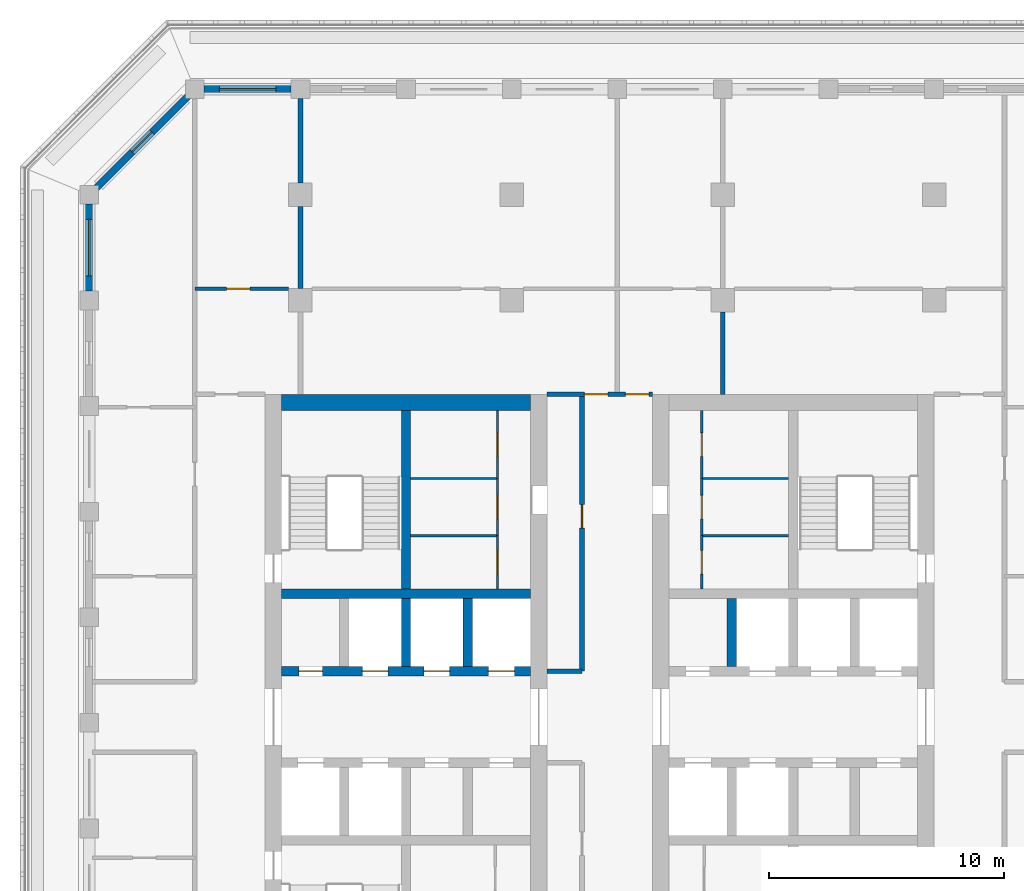
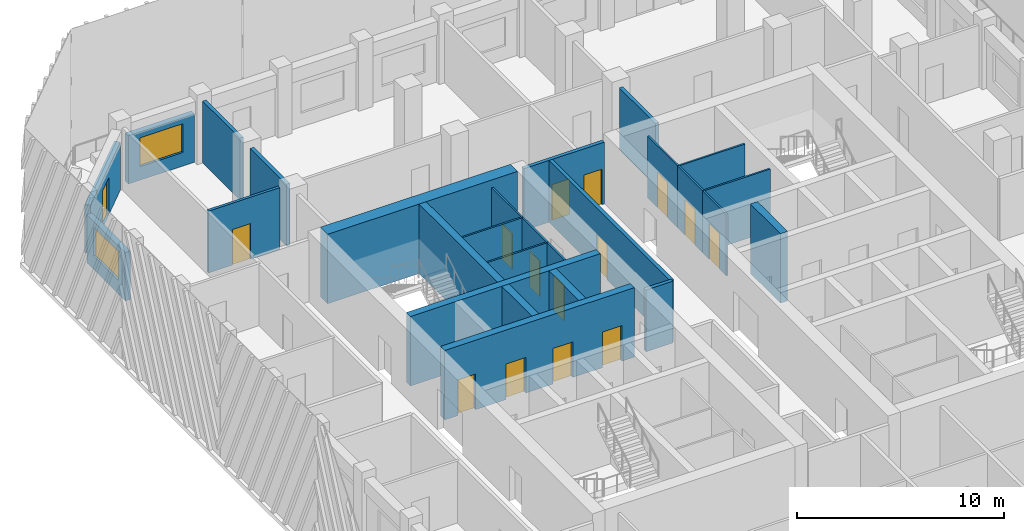
# One storey, part 6 of 17: 27 walls, 15 doors, 2 windows, 17 openings.
"""IFC4 building model written with IfcOpenShell, lengths in metres."""

from ifc_helpers import new_model, si_unit, direction, frame, frame_2d, origin, place, context, subcontext, project, spatial, rectangle, extrude, material, layer, layer_set, type_object, element, fill, save


model = new_model("IFC4")

# Units and contexts
model_context = context("Model", 3, precision=1e-05, world=origin(), true_north=direction((0.0, 1.0)))
body_context = subcontext(model_context, "Body", "Model", "MODEL_VIEW")
ifc_project = project(units=[si_unit("LENGTHUNIT", "METRE"), si_unit("AREAUNIT", "SQUARE_METRE"), si_unit("VOLUMEUNIT", "CUBIC_METRE"), si_unit("PLANEANGLEUNIT", "RADIAN"), si_unit("MASSUNIT", "GRAM", prefix="KILO")], contexts=[model_context])

# Site, building, storey
site_placement = place(None, origin())
site = spatial("IfcSite", under=ifc_project, at=site_placement, CompositionType="ELEMENT")
building_placement = place(site_placement, origin())
building = spatial("IfcBuilding", under=site, at=building_placement, Name="Corbel Stack Research Tower", CompositionType="ELEMENT")
storey_placement = place(building_placement, frame((0.0, 0.0, 248.0)))
storey = spatial("IfcBuildingStorey", under=building, at=storey_placement, Name="L56", CompositionType="ELEMENT", Elevation=248.0)

# Wall, openings, doors
ifc_material_1 = material(Name="Concrete C60/75", Category="concrete")
ifc_layer_1 = layer(ifc_material_1, 0.39990234375)
ifc_layer_set_1 = layer_set([ifc_layer_1], Name="Concrete C60/75")
wall_type_1 = type_object("IfcWallType", Name="CW-400-60", PredefinedType="SHEAR", material=ifc_layer_set_1)
wall_1_placement = place(storey_placement, frame((-9.800048828125, 6.699951171875, 0.0), z_axis=(0.0, 0.0, 1.0), x_axis=(1.0, 0.0, 0.0)))
wall_1 = element("IfcWall", 1, at=wall_1_placement, inside=storey, type_object=wall_type_1, Name="West core wall, lobby north L56", PredefinedType="SHEAR", context=body_context, shape_type="SweptSolid", body=[
    extrude(rectangle(XDim=10.60009765625, YDim=0.39990234375, at=frame_2d((5.300048828125, 0.0))), origin(), (0.0, 0.0, 1.0), 4.10009765625),
])
opening_1_placement = place(wall_1_placement, frame((3.4375, 0.0, 0.0)))
opening_1 = element("IfcOpeningElement", 2, at=opening_1_placement, cuts=wall_1, Name="Opening LD-HR1", PredefinedType="OPENING", context=body_context, shape_type="SweptSolid", body=[
    extrude(rectangle(XDim=1.10009765625, YDim=2.10009765625, at=frame_2d((0.550048828125, 1.050048828125))), frame((0.0, 0.2099609375, 0.0), z_axis=(0.0, -1.0, 0.0), x_axis=(1.0, 0.0, 0.0)), (0.0, 0.0, 1.0), 0.419921875),
])
opening_2_placement = place(wall_1_placement, frame((6.0625, 0.0, 0.0)))
opening_2 = element("IfcOpeningElement", 3, at=opening_2_placement, cuts=wall_1, Name="Opening LD-HR2", PredefinedType="OPENING", context=body_context, shape_type="SweptSolid", body=[
    extrude(rectangle(XDim=1.10009765625, YDim=2.10009765625, at=frame_2d((0.550048828125, 1.050048828125))), frame((0.0, 0.2099609375, 0.0), z_axis=(0.0, -1.0, 0.0), x_axis=(1.0, 0.0, 0.0)), (0.0, 0.0, 1.0), 0.419921875),
])
opening_3_placement = place(wall_1_placement, frame((8.8125, 0.0, 0.0)))
opening_3 = element("IfcOpeningElement", 4, at=opening_3_placement, cuts=wall_1, Name="Opening LD-HR3", PredefinedType="OPENING", context=body_context, shape_type="SweptSolid", body=[
    extrude(rectangle(XDim=1.10009765625, YDim=2.10009765625, at=frame_2d((0.550048828125, 1.050048828125))), frame((0.0, 0.2099609375, 0.0), z_axis=(0.0, -1.0, 0.0), x_axis=(1.0, 0.0, 0.0)), (0.0, 0.0, 1.0), 0.419921875),
])
opening_4_placement = place(wall_1_placement, frame((0.737548828125, 0.0, 0.0)))
opening_4 = element("IfcOpeningElement", 5, at=opening_4_placement, cuts=wall_1, Name="Opening CR-W12-N1", PredefinedType="OPENING", context=body_context, shape_type="SweptSolid", body=[
    extrude(rectangle(XDim=1.0, YDim=2.10009765625, at=frame_2d((0.5, 1.050048828125))), frame((0.0, 0.2099609375, 0.0), z_axis=(0.0, -1.0, 0.0), x_axis=(1.0, 0.0, 0.0)), (0.0, 0.0, 1.0), 0.419921875),
])
ifc_material_2 = material(Name="Stainless steel landing door", Category="steel")
door_type_1 = type_object("IfcDoorType", Name="Lift landing door 1100 x 2100", OperationType="DOUBLE_DOOR_SLIDING", PredefinedType="DOOR", material=ifc_material_2)
door_1_placement = place(opening_1_placement, origin())
door_1 = element("IfcDoor", 6, at=door_1_placement, inside=storey, type_object=door_type_1, Name="Landing door HR1", OperationType="DOUBLE_DOOR_SLIDING", OverallHeight=2.10009765625, OverallWidth=1.10009765625, PredefinedType="DOOR", context=body_context, shape_type="SweptSolid", body=[
    extrude(rectangle(XDim=1.10009765625, YDim=2.10009765625, at=frame_2d((0.550048828125, 1.050048828125))), frame((0.0, 0.02490234375, 0.0), z_axis=(0.0, -1.0, 0.0), x_axis=(1.0, 0.0, 0.0)), (0.0, 0.0, 1.0), 0.050048828125),
])
fill(opening_1, door_1)
door_2_placement = place(opening_2_placement, origin())
door_2 = element("IfcDoor", 7, at=door_2_placement, inside=storey, type_object=door_type_1, Name="Landing door HR2", OperationType="DOUBLE_DOOR_SLIDING", OverallHeight=2.10009765625, OverallWidth=1.10009765625, PredefinedType="DOOR", context=body_context, shape_type="SweptSolid", body=[
    extrude(rectangle(XDim=1.10009765625, YDim=2.10009765625, at=frame_2d((0.550048828125, 1.050048828125))), frame((0.0, 0.02490234375, 0.0), z_axis=(0.0, -1.0, 0.0), x_axis=(1.0, 0.0, 0.0)), (0.0, 0.0, 1.0), 0.050048828125),
])
fill(opening_2, door_2)
door_3_placement = place(opening_3_placement, origin())
door_3 = element("IfcDoor", 8, at=door_3_placement, inside=storey, type_object=door_type_1, Name="Landing door HR3", OperationType="DOUBLE_DOOR_SLIDING", OverallHeight=2.10009765625, OverallWidth=1.10009765625, PredefinedType="DOOR", context=body_context, shape_type="SweptSolid", body=[
    extrude(rectangle(XDim=1.10009765625, YDim=2.10009765625, at=frame_2d((0.550048828125, 1.050048828125))), frame((0.0, 0.02490234375, 0.0), z_axis=(0.0, -1.0, 0.0), x_axis=(1.0, 0.0, 0.0)), (0.0, 0.0, 1.0), 0.050048828125),
])
fill(opening_3, door_3)
ifc_material_3 = material(Name="Painted steel door", Category="steel")
door_type_2 = type_object("IfcDoorType", Name="Service door 1000 x 2100 FD60 left hand", OperationType="SINGLE_SWING_LEFT", PredefinedType="DOOR", material=ifc_material_3)
door_4_placement = place(opening_4_placement, origin())
door_4 = element("IfcDoor", 9, at=door_4_placement, inside=storey, type_object=door_type_2, Name="Electrical room door W core", OperationType="SINGLE_SWING_LEFT", OverallHeight=2.10009765625, OverallWidth=1.0, PredefinedType="DOOR", context=body_context, shape_type="SweptSolid", body=[
    extrude(rectangle(XDim=1.0, YDim=2.10009765625, at=frame_2d((0.5, 1.050048828125))), frame((0.0, 0.02490234375, 0.0), z_axis=(0.0, -1.0, 0.0), x_axis=(1.0, 0.0, 0.0)), (0.0, 0.0, 1.0), 0.050048828125),
])
fill(opening_4, door_4)

# Walls
wall_2_placement = place(storey_placement, frame((-9.800048828125, 10.0, 0.0), z_axis=(0.0, 0.0, 1.0), x_axis=(1.0, 0.0, 0.0)))
element("IfcWall", 10, at=wall_2_placement, inside=storey, type_object=wall_type_1, Name="West core wall, north row back L56", PredefinedType="SHEAR", context=body_context, shape_type="SweptSolid", body=[
    extrude(rectangle(XDim=10.60009765625, YDim=0.39990234375, at=frame_2d((5.300048828125, 0.0))), origin(), (0.0, 0.0, 1.0), 4.10009765625),
])
for number, where, z_axis, x_axis, name in (
    (11, (-4.5, 6.89990234375, 0.0), (0.0, 0.0, 1.0), (0.0, 1.0, 0.0), "West core wall, north shaft 2 L56"),
    (12, (-1.875, 6.89990234375, 0.0), (0.0, 0.0, 1.0), (0.0, 1.0, 0.0), "West core wall, north shaft 3 L56"),
):
    element("IfcWall", number, at=place(storey_placement, frame(where, z_axis=z_axis, x_axis=x_axis)), inside=storey, type_object=wall_type_1, Name=name, PredefinedType="SHEAR", context=body_context, shape_type="SweptSolid", body=[
        extrude(rectangle(XDim=2.900146484375, YDim=0.39990234375, at=frame_2d((1.4501953125, 0.0))), origin(), (0.0, 0.0, 1.0), 4.10009765625),
    ])
wall_3_placement = place(storey_placement, frame((-4.5, 10.199951171875, 0.0), z_axis=(0.0, 0.0, 1.0), x_axis=(0.0, 1.0, 0.0)))
element("IfcWall", 13, at=wall_3_placement, inside=storey, type_object=wall_type_1, Name="West core wall, north stair and riser L56", PredefinedType="SHEAR", context=body_context, shape_type="SweptSolid", body=[
    extrude(rectangle(XDim=7.60009765625, YDim=0.39990234375, at=frame_2d((3.800048828125, 0.0))), origin(), (0.0, 0.0, 1.0), 4.10009765625),
])
wall_4_placement = place(storey_placement, frame((9.375, 6.89990234375, 0.0), z_axis=(0.0, 0.0, 1.0), x_axis=(0.0, 1.0, 0.0)))
element("IfcWall", 14, at=wall_4_placement, inside=storey, type_object=wall_type_1, Name="East core wall, north shaft 1 L56", PredefinedType="SHEAR", context=body_context, shape_type="SweptSolid", body=[
    extrude(rectangle(XDim=2.900146484375, YDim=0.39990234375, at=frame_2d((1.4501953125, 0.0))), origin(), (0.0, 0.0, 1.0), 4.10009765625),
])
ifc_material_4 = material(Name="Concrete C60/75", Category="concrete")
ifc_layer_2 = layer(ifc_material_4, 0.699951171875)
ifc_layer_set_2 = layer_set([ifc_layer_2], Name="Concrete C60/75")
wall_type_2 = type_object("IfcWallType", Name="CW-700-60", PredefinedType="SHEAR", material=ifc_layer_set_2)
wall_5_placement = place(storey_placement, frame((-9.800048828125, 18.14990234375, 0.0), z_axis=(0.0, 0.0, 1.0), x_axis=(1.0, 0.0, 0.0)))
element("IfcWall", 15, at=wall_5_placement, inside=storey, type_object=wall_type_2, Name="West core wall, north end L56", PredefinedType="SHEAR", context=body_context, shape_type="SweptSolid", body=[
    extrude(rectangle(XDim=10.60009765625, YDim=0.699951171875, at=frame_2d((5.300048828125, 0.0))), origin(), (0.0, 0.0, 1.0), 4.10009765625),
])

# Wall, opening, door
ifc_material_5 = material(Name="Gypsum board")
ifc_layer_3 = layer(ifc_material_5, 0.10009765625)
ifc_layer_set_3 = layer_set([ifc_layer_3], Name="Gypsum board")
wall_type_3 = type_object("IfcWallType", Name="Core partition 100", PredefinedType="PARTITIONING", material=ifc_layer_set_3)
wall_6_placement = place(storey_placement, frame((-0.60009765625, 10.199951171875, 0.0), z_axis=(0.0, 0.0, 1.0), x_axis=(0.0, 1.0, 0.0)))
wall_6 = element("IfcWall", 16, at=wall_6_placement, inside=storey, type_object=wall_type_3, Name="Core partition W", PredefinedType="PARTITIONING", context=body_context, shape_type="SweptSolid", body=[
    extrude(rectangle(XDim=2.280029296875, YDim=0.10009765625, at=frame_2d((1.14013671875, 0.0))), origin(), (0.0, 0.0, 1.0), 3.64990234375),
])
opening_5_placement = place(wall_6_placement, frame((0.639892578125, 0.0, 0.0)))
opening_5 = element("IfcOpeningElement", 17, at=opening_5_placement, cuts=wall_6, Name="Opening CR-W12-R2-1000", PredefinedType="OPENING", context=body_context, shape_type="SweptSolid", body=[
    extrude(rectangle(XDim=1.0, YDim=2.10009765625, at=frame_2d((0.5, 1.050048828125))), frame((0.0, 0.06005859375, 0.0), z_axis=(0.0, -1.0, 0.0), x_axis=(1.0, 0.0, 0.0)), (0.0, 0.0, 1.0), 0.1201171875),
])
ifc_material_6 = material(Name="Painted steel door", Category="steel")
door_type_3 = type_object("IfcDoorType", Name="Riser door 1000 x 2100 FD60 right hand", OperationType="SINGLE_SWING_RIGHT", PredefinedType="DOOR", material=ifc_material_6)
door_5_placement = place(opening_5_placement, origin())
door_5 = element("IfcDoor", 18, at=door_5_placement, inside=storey, type_object=door_type_3, Name="Mechanical riser door W core", OperationType="SINGLE_SWING_RIGHT", OverallHeight=2.10009765625, OverallWidth=1.0, PredefinedType="DOOR", context=body_context, shape_type="SweptSolid", body=[
    extrude(rectangle(XDim=1.0, YDim=2.10009765625, at=frame_2d((0.5, 1.050048828125))), frame((0.0, 0.02490234375, 0.0), z_axis=(0.0, -1.0, 0.0), x_axis=(1.0, 0.0, 0.0)), (0.0, 0.0, 1.0), 0.050048828125),
])
fill(opening_5, door_5)

wall_7_placement = place(storey_placement, frame((-0.60009765625, 12.47998046875, 0.0), z_axis=(0.0, 0.0, 1.0), x_axis=(0.0, 1.0, 0.0)))
wall_7 = element("IfcWall", 19, at=wall_7_placement, inside=storey, type_object=wall_type_3, Name="Core partition W", PredefinedType="PARTITIONING", context=body_context, shape_type="SweptSolid", body=[
    extrude(rectangle(XDim=2.43212890625, YDim=0.10009765625, at=frame_2d((1.216064453125, 0.0))), origin(), (0.0, 0.0, 1.0), 3.64990234375),
])
opening_6_placement = place(wall_7_placement, frame((0.716064453125, 0.0, 0.0)))
opening_6 = element("IfcOpeningElement", 20, at=opening_6_placement, cuts=wall_7, Name="Opening CR-W12-R3-1000", PredefinedType="OPENING", context=body_context, shape_type="SweptSolid", body=[
    extrude(rectangle(XDim=1.0, YDim=2.10009765625, at=frame_2d((0.5, 1.050048828125))), frame((0.0, 0.06005859375, 0.0), z_axis=(0.0, -1.0, 0.0), x_axis=(1.0, 0.0, 0.0)), (0.0, 0.0, 1.0), 0.1201171875),
])
ifc_material_7 = material(Name="Painted steel door", Category="steel")
door_type_4 = type_object("IfcDoorType", Name="Service door 1000 x 2100 FD30 left hand", OperationType="SINGLE_SWING_LEFT", PredefinedType="DOOR", material=ifc_material_7)
door_6_placement = place(opening_6_placement, origin())
door_6 = element("IfcDoor", 21, at=door_6_placement, inside=storey, type_object=door_type_4, Name="Pantry door W core", OperationType="SINGLE_SWING_LEFT", OverallHeight=2.10009765625, OverallWidth=1.0, PredefinedType="DOOR", context=body_context, shape_type="SweptSolid", body=[
    extrude(rectangle(XDim=1.0, YDim=2.10009765625, at=frame_2d((0.5, 1.050048828125))), frame((0.0, 0.02490234375, 0.0), z_axis=(0.0, -1.0, 0.0), x_axis=(1.0, 0.0, 0.0)), (0.0, 0.0, 1.0), 0.050048828125),
])
fill(opening_6, door_6)

wall_8_placement = place(storey_placement, frame((-0.60009765625, 14.912109375, 0.0), z_axis=(0.0, 0.0, 1.0), x_axis=(0.0, 1.0, 0.0)))
wall_8 = element("IfcWall", 22, at=wall_8_placement, inside=storey, type_object=wall_type_3, Name="Core partition W", PredefinedType="PARTITIONING", context=body_context, shape_type="SweptSolid", body=[
    extrude(rectangle(XDim=2.887939453125, YDim=0.10009765625, at=frame_2d((1.44384765625, 0.0))), origin(), (0.0, 0.0, 1.0), 3.64990234375),
])
opening_7_placement = place(wall_8_placement, frame((0.944091796875, 0.0, 0.0)))
opening_7 = element("IfcOpeningElement", 23, at=opening_7_placement, cuts=wall_8, Name="Opening CR-W12-R4-1000", PredefinedType="OPENING", context=body_context, shape_type="SweptSolid", body=[
    extrude(rectangle(XDim=1.0, YDim=2.10009765625, at=frame_2d((0.5, 1.050048828125))), frame((0.0, 0.06005859375, 0.0), z_axis=(0.0, -1.0, 0.0), x_axis=(1.0, 0.0, 0.0)), (0.0, 0.0, 1.0), 0.1201171875),
])
door_7_placement = place(opening_7_placement, origin())
door_7 = element("IfcDoor", 24, at=door_7_placement, inside=storey, type_object=door_type_3, Name="Electrical riser door W core", OperationType="SINGLE_SWING_RIGHT", OverallHeight=2.10009765625, OverallWidth=1.0, PredefinedType="DOOR", context=body_context, shape_type="SweptSolid", body=[
    extrude(rectangle(XDim=1.0, YDim=2.10009765625, at=frame_2d((0.5, 1.050048828125))), frame((0.0, 0.02490234375, 0.0), z_axis=(0.0, -1.0, 0.0), x_axis=(1.0, 0.0, 0.0)), (0.0, 0.0, 1.0), 0.050048828125),
])
fill(opening_7, door_7)

# Walls
for number, where, z_axis, x_axis, name in (
    (25, (-4.300048828125, 12.47998046875, 0.0), (0.0, 0.0, 1.0), (1.0, 0.0, 0.0), "Core partition W"),
    (26, (-4.300048828125, 14.912109375, 0.0), (0.0, 0.0, 1.0), (1.0, 0.0, 0.0), "Core partition W"),
):
    element("IfcWall", number, at=place(storey_placement, frame(where, z_axis=z_axis, x_axis=x_axis)), inside=storey, type_object=wall_type_3, Name=name, PredefinedType="PARTITIONING", context=body_context, shape_type="SweptSolid", body=[
        extrude(rectangle(XDim=3.699951171875, YDim=0.10009765625, at=frame_2d((1.85009765625, 0.0))), origin(), (0.0, 0.0, 1.0), 3.64990234375),
    ])

# Wall, opening, door
wall_9_placement = place(storey_placement, frame((8.10009765625, 10.199951171875, 0.0), z_axis=(0.0, 0.0, 1.0), x_axis=(0.0, 1.0, 0.0)))
wall_9 = element("IfcWall", 27, at=wall_9_placement, inside=storey, type_object=wall_type_3, Name="Core partition E", PredefinedType="PARTITIONING", context=body_context, shape_type="SweptSolid", body=[
    extrude(rectangle(XDim=2.280029296875, YDim=0.10009765625, at=frame_2d((1.14013671875, 0.0))), origin(), (0.0, 0.0, 1.0), 3.64990234375),
])
opening_8_placement = place(wall_9_placement, frame((0.639892578125, 0.0, 0.0)))
opening_8 = element("IfcOpeningElement", 28, at=opening_8_placement, cuts=wall_9, Name="Opening CR-E12-R2-1000", PredefinedType="OPENING", context=body_context, shape_type="SweptSolid", body=[
    extrude(rectangle(XDim=1.0, YDim=2.10009765625, at=frame_2d((0.5, 1.050048828125))), frame((0.0, 0.06005859375, 0.0), z_axis=(0.0, -1.0, 0.0), x_axis=(1.0, 0.0, 0.0)), (0.0, 0.0, 1.0), 0.1201171875),
])
ifc_material_8 = material(Name="Painted steel door", Category="steel")
door_type_5 = type_object("IfcDoorType", Name="Riser door 1000 x 2100 FD60 left hand", OperationType="SINGLE_SWING_LEFT", PredefinedType="DOOR", material=ifc_material_8)
door_8_placement = place(opening_8_placement, origin())
door_8 = element("IfcDoor", 29, at=door_8_placement, inside=storey, type_object=door_type_5, Name="Mechanical riser door E core", OperationType="SINGLE_SWING_LEFT", OverallHeight=2.10009765625, OverallWidth=1.0, PredefinedType="DOOR", context=body_context, shape_type="SweptSolid", body=[
    extrude(rectangle(XDim=1.0, YDim=2.10009765625, at=frame_2d((0.5, 1.050048828125))), frame((0.0, 0.02490234375, 0.0), z_axis=(0.0, -1.0, 0.0), x_axis=(1.0, 0.0, 0.0)), (0.0, 0.0, 1.0), 0.050048828125),
])
fill(opening_8, door_8)

wall_10_placement = place(storey_placement, frame((8.10009765625, 12.47998046875, 0.0), z_axis=(0.0, 0.0, 1.0), x_axis=(0.0, 1.0, 0.0)))
wall_10 = element("IfcWall", 30, at=wall_10_placement, inside=storey, type_object=wall_type_3, Name="Core partition E", PredefinedType="PARTITIONING", context=body_context, shape_type="SweptSolid", body=[
    extrude(rectangle(XDim=2.43212890625, YDim=0.10009765625, at=frame_2d((1.216064453125, 0.0))), origin(), (0.0, 0.0, 1.0), 3.64990234375),
])
opening_9_placement = place(wall_10_placement, frame((0.716064453125, 0.0, 0.0)))
opening_9 = element("IfcOpeningElement", 31, at=opening_9_placement, cuts=wall_10, Name="Opening CR-E12-R3-1000", PredefinedType="OPENING", context=body_context, shape_type="SweptSolid", body=[
    extrude(rectangle(XDim=1.0, YDim=2.10009765625, at=frame_2d((0.5, 1.050048828125))), frame((0.0, 0.06005859375, 0.0), z_axis=(0.0, -1.0, 0.0), x_axis=(1.0, 0.0, 0.0)), (0.0, 0.0, 1.0), 0.1201171875),
])
ifc_material_9 = material(Name="Painted steel door", Category="steel")
door_type_6 = type_object("IfcDoorType", Name="Service door 1000 x 2100 FD30 right hand", OperationType="SINGLE_SWING_RIGHT", PredefinedType="DOOR", material=ifc_material_9)
door_9_placement = place(opening_9_placement, origin())
door_9 = element("IfcDoor", 32, at=door_9_placement, inside=storey, type_object=door_type_6, Name="Pantry door E core", OperationType="SINGLE_SWING_RIGHT", OverallHeight=2.10009765625, OverallWidth=1.0, PredefinedType="DOOR", context=body_context, shape_type="SweptSolid", body=[
    extrude(rectangle(XDim=1.0, YDim=2.10009765625, at=frame_2d((0.5, 1.050048828125))), frame((0.0, 0.02490234375, 0.0), z_axis=(0.0, -1.0, 0.0), x_axis=(1.0, 0.0, 0.0)), (0.0, 0.0, 1.0), 0.050048828125),
])
fill(opening_9, door_9)

wall_11_placement = place(storey_placement, frame((8.10009765625, 14.912109375, 0.0), z_axis=(0.0, 0.0, 1.0), x_axis=(0.0, 1.0, 0.0)))
wall_11 = element("IfcWall", 33, at=wall_11_placement, inside=storey, type_object=wall_type_3, Name="Core partition E", PredefinedType="PARTITIONING", context=body_context, shape_type="SweptSolid", body=[
    extrude(rectangle(XDim=2.887939453125, YDim=0.10009765625, at=frame_2d((1.44384765625, 0.0))), origin(), (0.0, 0.0, 1.0), 3.64990234375),
])
opening_10_placement = place(wall_11_placement, frame((0.944091796875, 0.0, 0.0)))
opening_10 = element("IfcOpeningElement", 34, at=opening_10_placement, cuts=wall_11, Name="Opening CR-E12-R4-1000", PredefinedType="OPENING", context=body_context, shape_type="SweptSolid", body=[
    extrude(rectangle(XDim=1.0, YDim=2.10009765625, at=frame_2d((0.5, 1.050048828125))), frame((0.0, 0.06005859375, 0.0), z_axis=(0.0, -1.0, 0.0), x_axis=(1.0, 0.0, 0.0)), (0.0, 0.0, 1.0), 0.1201171875),
])
door_10_placement = place(opening_10_placement, origin())
door_10 = element("IfcDoor", 35, at=door_10_placement, inside=storey, type_object=door_type_5, Name="Electrical riser door E core", OperationType="SINGLE_SWING_LEFT", OverallHeight=2.10009765625, OverallWidth=1.0, PredefinedType="DOOR", context=body_context, shape_type="SweptSolid", body=[
    extrude(rectangle(XDim=1.0, YDim=2.10009765625, at=frame_2d((0.5, 1.050048828125))), frame((0.0, 0.02490234375, 0.0), z_axis=(0.0, -1.0, 0.0), x_axis=(1.0, 0.0, 0.0)), (0.0, 0.0, 1.0), 0.050048828125),
])
fill(opening_10, door_10)

# Walls
for number, where, z_axis, x_axis, name in (
    (36, (8.10009765625, 12.47998046875, 0.0), (0.0, 0.0, 1.0), (1.0, 0.0, 0.0), "Core partition E"),
    (37, (8.10009765625, 14.912109375, 0.0), (0.0, 0.0, 1.0), (1.0, 0.0, 0.0), "Core partition E"),
):
    element("IfcWall", number, at=place(storey_placement, frame(where, z_axis=z_axis, x_axis=x_axis)), inside=storey, type_object=wall_type_3, Name=name, PredefinedType="PARTITIONING", context=body_context, shape_type="SweptSolid", body=[
        extrude(rectangle(XDim=3.699951171875, YDim=0.10009765625, at=frame_2d((1.85009765625, 0.0))), origin(), (0.0, 0.0, 1.0), 3.64990234375),
    ])
ifc_material_10 = material(Name="Fire-rated gypsum board partition on steel studs", Category="steel")
ifc_layer_4 = layer(ifc_material_10, 0.199951171875)
ifc_layer_set_4 = layer_set([ifc_layer_4], Name="Fire-rated gypsum board partition on steel studs")
wall_type_4 = type_object("IfcWallType", Name="Fire-rated partition 200 EI 60", PredefinedType="PARTITIONING", material=ifc_layer_set_4)
wall_12_placement = place(storey_placement, frame((-9.0, 23.0, 0.0), z_axis=(0.0, 0.0, 1.0), x_axis=(0.0, 1.0, 0.0)))
element("IfcWall", 38, at=wall_12_placement, inside=storey, type_object=wall_type_4, Name="Partition L56-006", PredefinedType="PARTITIONING", context=body_context, shape_type="SweptSolid", body=[
    extrude(rectangle(XDim=3.5, YDim=0.199951171875, at=frame_2d((1.75, 0.0))), origin(), (0.0, 0.0, 1.0), 3.64990234375),
])
wall_13_placement = place(storey_placement, frame((-9.0, 27.5, 0.0), z_axis=(0.0, 0.0, 1.0), x_axis=(0.0, 1.0, 0.0)))
element("IfcWall", 39, at=wall_13_placement, inside=storey, type_object=wall_type_4, Name="Partition L56-007", PredefinedType="PARTITIONING", context=body_context, shape_type="SweptSolid", body=[
    extrude(rectangle(XDim=3.60009765625, YDim=0.199951171875, at=frame_2d((1.800048828125, 0.0))), origin(), (0.0, 0.0, 1.0), 3.64990234375),
])

# Wall, opening, door
wall_14_placement = place(storey_placement, frame((3.0, 6.699951171875, 0.0), z_axis=(0.0, 0.0, 1.0), x_axis=(0.0, 1.0, 0.0)))
wall_14 = element("IfcWall", 40, at=wall_14_placement, inside=storey, type_object=wall_type_4, Name="Partition L56-010", PredefinedType="PARTITIONING", context=body_context, shape_type="SweptSolid", body=[
    extrude(rectangle(XDim=11.800048828125, YDim=0.199951171875, at=frame_2d((5.89990234375, 0.0))), origin(), (0.0, 0.0, 1.0), 3.64990234375),
])
opening_11_placement = place(wall_14_placement, frame((6.10009765625, 0.0, 0.0)))
opening_11 = element("IfcOpeningElement", 41, at=opening_11_placement, cuts=wall_14, Name="Opening B7V1-017", PredefinedType="OPENING", context=body_context, shape_type="SweptSolid", body=[
    extrude(rectangle(XDim=1.0, YDim=2.10009765625, at=frame_2d((0.5, 1.050048828125))), frame((0.0, 0.10986328125, 0.0), z_axis=(0.0, -1.0, 0.0), x_axis=(1.0, 0.0, 0.0)), (0.0, 0.0, 1.0), 0.219970703125),
])
ifc_material_11 = material(Name="Painted steel fire door", Category="steel")
door_type_7 = type_object("IfcDoorType", Name="Fire door FD30S 1000 x 2100", OperationType="NOTDEFINED", PredefinedType="DOOR", material=ifc_material_11)
door_11_placement = place(opening_11_placement, origin())
door_11 = element("IfcDoor", 42, at=door_11_placement, inside=storey, type_object=door_type_7, Name="Door B7V1-017", OperationType="SINGLE_SWING_RIGHT", OverallHeight=2.10009765625, OverallWidth=1.0, PredefinedType="DOOR", context=body_context, shape_type="SweptSolid", body=[
    extrude(rectangle(XDim=1.0, YDim=2.10009765625, at=frame_2d((0.5, 1.050048828125))), frame((0.0, 0.02490234375, 0.0), z_axis=(0.0, -1.0, 0.0), x_axis=(1.0, 0.0, 0.0)), (0.0, 0.0, 1.0), 0.050048828125),
])
fill(opening_11, door_11)

# Walls
wall_15_placement = place(storey_placement, frame((9.0, 18.5, 0.0), z_axis=(0.0, 0.0, 1.0), x_axis=(0.0, 1.0, 0.0)))
element("IfcWall", 43, at=wall_15_placement, inside=storey, type_object=wall_type_4, Name="Partition L56-015", PredefinedType="PARTITIONING", context=body_context, shape_type="SweptSolid", body=[
    extrude(rectangle(XDim=3.5, YDim=0.199951171875, at=frame_2d((1.75, 0.0))), origin(), (0.0, 0.0, 1.0), 3.64990234375),
])
wall_16_placement = place(storey_placement, frame((1.5, 6.699951171875, 0.0), z_axis=(0.0, 0.0, 1.0), x_axis=(1.0, 0.0, 0.0)))
element("IfcWall", 44, at=wall_16_placement, inside=storey, type_object=wall_type_4, Name="Partition L56-036", PredefinedType="PARTITIONING", context=body_context, shape_type="SweptSolid", body=[
    extrude(rectangle(XDim=1.5, YDim=0.199951171875, at=frame_2d((0.75, 0.0))), origin(), (0.0, 0.0, 1.0), 3.64990234375),
])

# Wall, openings, doors
wall_17_placement = place(storey_placement, frame((1.5, 18.5, 0.0), z_axis=(0.0, 0.0, 1.0), x_axis=(1.0, 0.0, 0.0)))
wall_17 = element("IfcWall", 45, at=wall_17_placement, inside=storey, type_object=wall_type_4, Name="Partition L56-043", PredefinedType="PARTITIONING", context=body_context, shape_type="SweptSolid", body=[
    extrude(rectangle(XDim=4.5, YDim=0.199951171875, at=frame_2d((2.25, 0.0))), origin(), (0.0, 0.0, 1.0), 3.64990234375),
])
opening_12_placement = place(wall_17_placement, frame((1.60009765625, 0.0, 0.0)))
opening_12 = element("IfcOpeningElement", 46, at=opening_12_placement, cuts=wall_17, Name="Opening B7V1-023", PredefinedType="OPENING", context=body_context, shape_type="SweptSolid", body=[
    extrude(rectangle(XDim=1.0, YDim=2.10009765625, at=frame_2d((0.5, 1.050048828125))), frame((0.0, 0.10986328125, 0.0), z_axis=(0.0, -1.0, 0.0), x_axis=(1.0, 0.0, 0.0)), (0.0, 0.0, 1.0), 0.219970703125),
])
opening_13_placement = place(wall_17_placement, frame((3.35009765625, 0.0, 0.0)))
opening_13 = element("IfcOpeningElement", 47, at=opening_13_placement, cuts=wall_17, Name="Opening B7V1-024", PredefinedType="OPENING", context=body_context, shape_type="SweptSolid", body=[
    extrude(rectangle(XDim=1.0, YDim=2.10009765625, at=frame_2d((0.5, 1.050048828125))), frame((0.0, 0.10986328125, 0.0), z_axis=(0.0, -1.0, 0.0), x_axis=(1.0, 0.0, 0.0)), (0.0, 0.0, 1.0), 0.219970703125),
])
door_12_placement = place(opening_12_placement, origin())
door_12 = element("IfcDoor", 48, at=door_12_placement, inside=storey, type_object=door_type_7, Name="Door B7V1-023", OperationType="SINGLE_SWING_LEFT", OverallHeight=2.10009765625, OverallWidth=1.0, PredefinedType="DOOR", context=body_context, shape_type="SweptSolid", body=[
    extrude(rectangle(XDim=1.0, YDim=2.10009765625, at=frame_2d((0.5, 1.050048828125))), frame((0.0, 0.02490234375, 0.0), z_axis=(0.0, -1.0, 0.0), x_axis=(1.0, 0.0, 0.0)), (0.0, 0.0, 1.0), 0.050048828125),
])
fill(opening_12, door_12)
door_13_placement = place(opening_13_placement, origin())
door_13 = element("IfcDoor", 49, at=door_13_placement, inside=storey, type_object=door_type_7, Name="Door B7V1-024", OperationType="SINGLE_SWING_RIGHT", OverallHeight=2.10009765625, OverallWidth=1.0, PredefinedType="DOOR", context=body_context, shape_type="SweptSolid", body=[
    extrude(rectangle(XDim=1.0, YDim=2.10009765625, at=frame_2d((0.5, 1.050048828125))), frame((0.0, 0.02490234375, 0.0), z_axis=(0.0, -1.0, 0.0), x_axis=(1.0, 0.0, 0.0)), (0.0, 0.0, 1.0), 0.050048828125),
])
fill(opening_13, door_13)

# Wall, opening, door
ifc_material_12 = material(Name="Gypsum board partition on steel studs", Category="steel")
ifc_layer_5 = layer(ifc_material_12, 0.14990234375)
ifc_layer_set_5 = layer_set([ifc_layer_5], Name="Gypsum board partition on steel studs")
wall_type_5 = type_object("IfcWallType", Name="Partition 150", PredefinedType="PARTITIONING", material=ifc_layer_set_5)
wall_18_placement = place(storey_placement, frame((-13.5, 23.0, 0.0), z_axis=(0.0, 0.0, 1.0), x_axis=(1.0, 0.0, 0.0)))
wall_18 = element("IfcWall", 50, at=wall_18_placement, inside=storey, type_object=wall_type_5, Name="Partition L56-045", PredefinedType="PARTITIONING", context=body_context, shape_type="SweptSolid", body=[
    extrude(rectangle(XDim=4.0, YDim=0.14990234375, at=frame_2d((2.0, 0.0))), origin(), (0.0, 0.0, 1.0), 3.64990234375),
])
opening_14_placement = place(wall_18_placement, frame((1.35009765625, 0.0, 0.0)))
opening_14 = element("IfcOpeningElement", 51, at=opening_14_placement, cuts=wall_18, Name="Opening B7V1-028", PredefinedType="OPENING", context=body_context, shape_type="SweptSolid", body=[
    extrude(rectangle(XDim=1.0, YDim=2.10009765625, at=frame_2d((0.5, 1.050048828125))), frame((0.0, 0.0849609375, 0.0), z_axis=(0.0, -1.0, 0.0), x_axis=(1.0, 0.0, 0.0)), (0.0, 0.0, 1.0), 0.169921875),
])
ifc_material_13 = material(Name="Painted timber door", Category="wood")
door_type_8 = type_object("IfcDoorType", Name="Single door 1000 x 2100", OperationType="NOTDEFINED", PredefinedType="DOOR", material=ifc_material_13)
door_14_placement = place(opening_14_placement, origin())
door_14 = element("IfcDoor", 52, at=door_14_placement, inside=storey, type_object=door_type_8, Name="Door B7V1-028", OperationType="SINGLE_SWING_LEFT", OverallHeight=2.10009765625, OverallWidth=1.0, PredefinedType="DOOR", context=body_context, shape_type="SweptSolid", body=[
    extrude(rectangle(XDim=1.0, YDim=2.10009765625, at=frame_2d((0.5, 1.050048828125))), frame((0.0, 0.02490234375, 0.0), z_axis=(0.0, -1.0, 0.0), x_axis=(1.0, 0.0, 0.0)), (0.0, 0.0, 1.0), 0.050048828125),
])
fill(opening_14, door_14)

# Wall, opening, window
ifc_material_14 = material(Name="Concrete C45/55", Category="concrete")
ifc_layer_6 = layer(ifc_material_14, 0.300048828125)
ifc_layer_set_6 = layer_set([ifc_layer_6], Name="Concrete C45/55")
wall_type_6 = type_object("IfcWallType", Name="Terracotta-faced concrete wall 300", PredefinedType="SOLIDWALL", material=ifc_layer_set_6)
wall_19_placement = place(storey_placement, frame((-13.10009765625, 31.5, 0.0), z_axis=(0.0, 0.0, 1.0), x_axis=(1.0, 0.0, 0.0)))
wall_19 = element("IfcWall", 53, at=wall_19_placement, inside=storey, type_object=wall_type_6, Name="Facade wall L56 N08", PredefinedType="SOLIDWALL", context=body_context, shape_type="SweptSolid", body=[
    extrude(rectangle(XDim=3.7001953125, YDim=0.300048828125, at=frame_2d((1.85009765625, 0.0))), origin(), (0.0, 0.0, 1.0), 2.85009765625),
])
opening_15_placement = place(wall_19_placement, frame((0.64990234375, 0.0, 0.800048828125)))
opening_15 = element("IfcOpeningElement", 54, at=opening_15_placement, cuts=wall_19, Name="Opening W1", PredefinedType="OPENING", context=body_context, shape_type="SweptSolid", body=[
    extrude(rectangle(XDim=2.39990234375, YDim=1.699951171875, at=frame_2d((1.199951171875, 0.85009765625))), frame((0.0, 0.159912109375, 0.0), z_axis=(0.0, -1.0, 0.0), x_axis=(1.0, 0.0, 0.0)), (0.0, 0.0, 1.0), 0.320068359375),
])
ifc_material_15 = material(Name="Aluminium frame, clear double glazing", Category="aluminium")
window_type = type_object("IfcWindowType", Name="Window W1 2400 x 1700", PartitioningType="SINGLE_PANEL", PredefinedType="WINDOW", material=ifc_material_15)
window_1_placement = place(opening_15_placement, origin())
window_1 = element("IfcWindow", 55, at=window_1_placement, inside=storey, type_object=window_type, Name="Window W1 L56 N08", OverallHeight=1.699951171875, OverallWidth=2.39990234375, PartitioningType="SINGLE_PANEL", PredefinedType="WINDOW", context=body_context, shape_type="SweptSolid", body=[
    extrude(rectangle(XDim=2.39990234375, YDim=1.699951171875, at=frame_2d((1.199951171875, 0.85009765625))), frame((0.0, 0.030029296875, 0.0), z_axis=(0.0, -1.0, 0.0), x_axis=(1.0, 0.0, 0.0)), (0.0, 0.0, 1.0), 0.06005859375),
])
fill(opening_15, window_1)

# Wall, opening, door
wall_20_placement = place(storey_placement, frame((-17.7060546875, 27.2939453125, 0.0), z_axis=(0.0, 0.0, 1.0), x_axis=(0.707106781187, 0.707106781187, 0.0)))
wall_20 = element("IfcWall", 56, at=wall_20_placement, inside=storey, type_object=wall_type_6, Name="Facade wall L56 NW01", PredefinedType="SOLIDWALL", context=body_context, shape_type="SweptSolid", body=[
    extrude(rectangle(XDim=5.532470703125, YDim=0.300048828125, at=frame_2d((2.76611328125, 0.0))), origin(), (0.0, 0.0, 1.0), 2.85009765625),
])
opening_16_placement = place(wall_20_placement, frame((2.166259765625, 0.0, 0.0)))
opening_16 = element("IfcOpeningElement", 57, at=opening_16_placement, cuts=wall_20, Name="Opening L56-B09", PredefinedType="OPENING", context=body_context, shape_type="SweptSolid", body=[
    extrude(rectangle(XDim=1.199951171875, YDim=2.199951171875, at=frame_2d((0.60009765625, 1.10009765625))), frame((0.0, 0.159912109375, 0.0), z_axis=(0.0, -1.0, 0.0), x_axis=(1.0, 0.0, 0.0)), (0.0, 0.0, 1.0), 0.320068359375),
])
ifc_material_16 = material(Name="Aluminium frame, clear double glazing", Category="aluminium")
door_type_9 = type_object("IfcDoorType", Name="Balcony door BD2 1200 x 2200", OperationType="NOTDEFINED", PredefinedType="DOOR", material=ifc_material_16)
door_15_placement = place(opening_16_placement, origin())
door_15 = element("IfcDoor", 58, at=door_15_placement, inside=storey, type_object=door_type_9, Name="Balcony door L56-B09", OperationType="SINGLE_SWING_LEFT", OverallHeight=2.199951171875, OverallWidth=1.199951171875, PredefinedType="DOOR", context=body_context, shape_type="SweptSolid", body=[
    extrude(rectangle(XDim=1.199951171875, YDim=2.199951171875, at=frame_2d((0.60009765625, 1.10009765625))), frame((0.0, 0.02490234375, 0.0), z_axis=(0.0, -1.0, 0.0), x_axis=(1.0, 0.0, 0.0)), (0.0, 0.0, 1.0), 0.050048828125),
])
fill(opening_16, door_15)

# Wall, opening, window
wall_21_placement = place(storey_placement, frame((-18.0, 22.89990234375, 0.0), z_axis=(0.0, 0.0, 1.0), x_axis=(0.0, 1.0, 0.0)))
wall_21 = element("IfcWall", 59, at=wall_21_placement, inside=storey, type_object=wall_type_6, Name="Facade wall L56 W01", PredefinedType="SOLIDWALL", context=body_context, shape_type="SweptSolid", body=[
    extrude(rectangle(XDim=3.7001953125, YDim=0.300048828125, at=frame_2d((1.85009765625, 0.0))), origin(), (0.0, 0.0, 1.0), 2.85009765625),
])
opening_17_placement = place(wall_21_placement, frame((0.64990234375, 0.0, 0.800048828125)))
opening_17 = element("IfcOpeningElement", 60, at=opening_17_placement, cuts=wall_21, Name="Opening W1", PredefinedType="OPENING", context=body_context, shape_type="SweptSolid", body=[
    extrude(rectangle(XDim=2.39990234375, YDim=1.699951171875, at=frame_2d((1.199951171875, 0.85009765625))), frame((0.0, 0.159912109375, 0.0), z_axis=(0.0, -1.0, 0.0), x_axis=(1.0, 0.0, 0.0)), (0.0, 0.0, 1.0), 0.320068359375),
])
window_2_placement = place(opening_17_placement, origin())
window_2 = element("IfcWindow", 61, at=window_2_placement, inside=storey, type_object=window_type, Name="Window W1 L56 W01", OverallHeight=1.699951171875, OverallWidth=2.39990234375, PartitioningType="SINGLE_PANEL", PredefinedType="WINDOW", context=body_context, shape_type="SweptSolid", body=[
    extrude(rectangle(XDim=2.39990234375, YDim=1.699951171875, at=frame_2d((1.199951171875, 0.85009765625))), frame((0.0, 0.030029296875, 0.0), z_axis=(0.0, -1.0, 0.0), x_axis=(1.0, 0.0, 0.0)), (0.0, 0.0, 1.0), 0.06005859375),
])
fill(opening_17, window_2)

save(model, "model.ifc")
